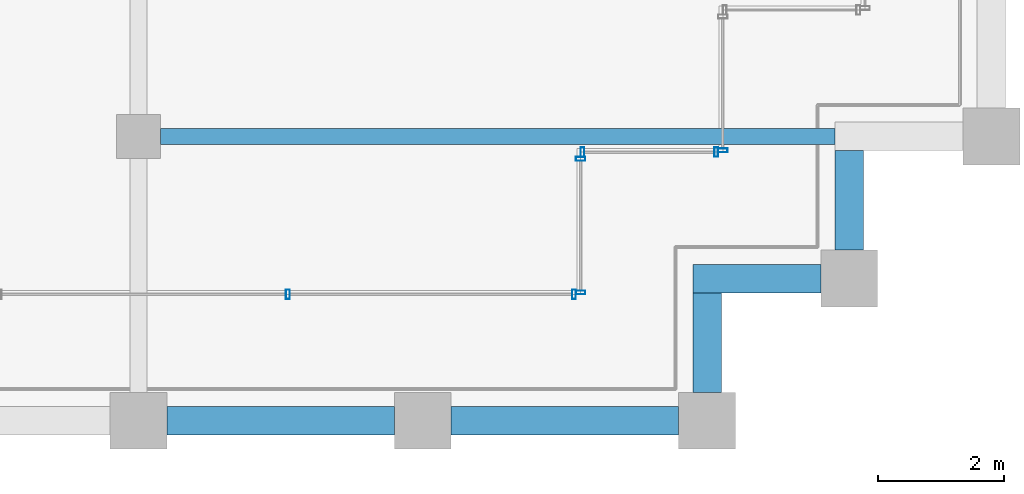
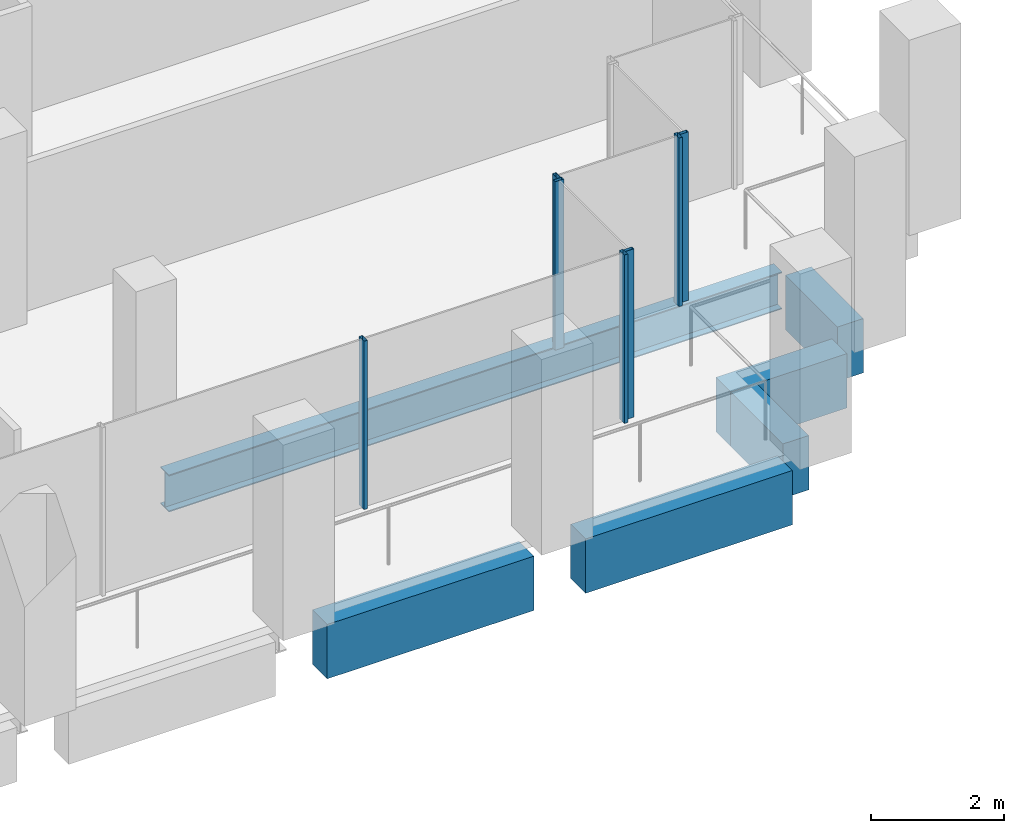
# One storey, part 12 of 40: 7 members, 6 beams, 4 elements without a shape of their own.
"""IFC4 building model written with IfcOpenShell, lengths in metres."""

from ifc_helpers import new_model, si_unit, direction, frame, origin, origin_2d, place, context, subcontext, project, spatial, rectangle, hollow_rectangle, i_section, extrude, material, material_profile, profile_set, type_object, element, aggregate, save


model = new_model("IFC4")

# Units and contexts
model_context = context("Model", 3, precision=1e-05, world=origin(), true_north=direction((0.0, 1.0)))
body_context = subcontext(model_context, "Body", "Model", "MODEL_VIEW")
ifc_project = project(units=[si_unit("LENGTHUNIT", "METRE"), si_unit("AREAUNIT", "SQUARE_METRE"), si_unit("VOLUMEUNIT", "CUBIC_METRE"), si_unit("PLANEANGLEUNIT", "RADIAN"), si_unit("MASSUNIT", "GRAM", prefix="KILO")], contexts=[model_context])

# Site, building, storey
site_placement = place(None, origin())
site = spatial("IfcSite", under=ifc_project, at=site_placement, CompositionType="ELEMENT")
building_placement = place(site_placement, origin())
building = spatial("IfcBuilding", under=site, at=building_placement, Name="Altepetl Exchange Towers", CompositionType="ELEMENT")
storey_placement = place(building_placement, frame((0.0, 0.0, 151.0)))
storey = spatial("IfcBuildingStorey", under=building, at=storey_placement, Name="L37", CompositionType="ELEMENT", Elevation=151.0)

# Beam
ifc_material_1 = material(Name="Steel S355", Category="steel")
ifc_material_profile_1 = material_profile(ifc_material_1, i_section(OverallWidth=0.25390625, OverallDepth=0.68408203125, WebThickness=0.012451171875, FlangeThickness=0.018798828125, at=origin_2d()), Name="W27X94")
ifc_profile_set_1 = profile_set([ifc_material_profile_1], Name="Steel S355")
beam_type_1 = type_object("IfcBeamType", Name="Floor beam W27X94", PredefinedType="BEAM", material=ifc_profile_set_1)
beam_1_placement = place(storey_placement, frame((58.85009765625, 31.5, -0.491943359375), z_axis=(1.0, 0.0, 0.0), x_axis=(0.0, 1.0, 0.0)))
element("IfcBeam", 1, at=beam_1_placement, inside=storey, type_object=beam_type_1, Name="bm:A:L37:006", PredefinedType="BEAM", context=body_context, shape_type="SweptSolid", body=[
    extrude(i_section(OverallWidth=0.25390625, OverallDepth=0.68408203125, WebThickness=0.012451171875, FlangeThickness=0.018798828125, at=origin_2d()), origin(), (0.0, 0.0, 1.0), 10.6748046875),
])

# Curtain wall, members
ifc_material_2 = material(Name="Aluminium 6063-T6 glazing", Category="aluminium")
curtain_wall_type = type_object("IfcCurtainWallType", Name="Loggia glazing system", PredefinedType="NOTDEFINED", material=ifc_material_2)
curtain_wall_1_placement = place(storey_placement, origin())
curtain_wall_1 = element("IfcCurtainWall", 2, at=curtain_wall_1_placement, inside=storey, type_object=curtain_wall_type, Name="CW1 run", PredefinedType="NOTDEFINED")
ifc_material_3 = material(Name="Aluminium 6063-T6", Category="aluminium")
ifc_material_profile_2 = material_profile(ifc_material_3, hollow_rectangle(XDim=0.06005859375, YDim=0.14990234375, WallThickness=0.0029296875, at=origin_2d()), Name="Mullion 60x150 aluminium")
ifc_profile_set_2 = profile_set([ifc_material_profile_2], Name="Aluminium 6063-T6")
member_type = type_object("IfcMemberType", Name="Mullion 60x150 aluminium", PredefinedType="MULLION", material=ifc_profile_set_2)
member_1_placement = place(storey_placement, frame((60.8642578125, 29.0, 0.0)))
member_1 = element("IfcMember", 3, at=member_1_placement, type_object=member_type, Name="MU1 mullion", PredefinedType="MULLION", context=body_context, shape_type="SweptSolid", body=[
    extrude(hollow_rectangle(XDim=0.06005859375, YDim=0.14990234375, WallThickness=0.0029296875, at=origin_2d()), origin(), (0.0, 0.0, 1.0), 3.10009765625),
])
member_2_placement = place(storey_placement, frame((65.39501953125, 29.0, 0.0)))
member_2 = element("IfcMember", 4, at=member_2_placement, type_object=member_type, Name="MU1 mullion", PredefinedType="MULLION", context=body_context, shape_type="SweptSolid", body=[
    extrude(hollow_rectangle(XDim=0.06005859375, YDim=0.14990234375, WallThickness=0.0029296875, at=origin_2d()), origin(), (0.0, 0.0, 1.0), 3.10009765625),
])
aggregate(curtain_wall_1, [member_1, member_2])

curtain_wall_2_placement = place(storey_placement, origin())
curtain_wall_2 = element("IfcCurtainWall", 5, at=curtain_wall_2_placement, inside=storey, type_object=curtain_wall_type, Name="CW1 run", PredefinedType="NOTDEFINED")
member_3_placement = place(storey_placement, frame((65.5, 29.030029296875, 0.0), z_axis=(0.0, 0.0, 1.0), x_axis=(0.0, 1.0, 0.0)))
member_3 = element("IfcMember", 6, at=member_3_placement, type_object=member_type, Name="MU1 mullion", PredefinedType="MULLION", context=body_context, shape_type="SweptSolid", body=[
    extrude(hollow_rectangle(XDim=0.06005859375, YDim=0.14990234375, WallThickness=0.0029296875, at=origin_2d()), origin(), (0.0, 0.0, 1.0), 3.10009765625),
])
member_4_placement = place(storey_placement, frame((65.5, 31.14501953125, 0.0), z_axis=(0.0, 0.0, 1.0), x_axis=(0.0, 1.0, 0.0)))
member_4 = element("IfcMember", 7, at=member_4_placement, type_object=member_type, Name="MU1 mullion", PredefinedType="MULLION", context=body_context, shape_type="SweptSolid", body=[
    extrude(hollow_rectangle(XDim=0.06005859375, YDim=0.14990234375, WallThickness=0.0029296875, at=origin_2d()), origin(), (0.0, 0.0, 1.0), 3.10009765625),
])
aggregate(curtain_wall_2, [member_3, member_4])

curtain_wall_3_placement = place(storey_placement, origin())
curtain_wall_3 = element("IfcCurtainWall", 8, at=curtain_wall_3_placement, inside=storey, type_object=curtain_wall_type, Name="CW1 run", PredefinedType="NOTDEFINED")
member_5_placement = place(storey_placement, frame((65.530029296875, 31.25, 0.0)))
member_5 = element("IfcMember", 9, at=member_5_placement, type_object=member_type, Name="MU1 mullion", PredefinedType="MULLION", context=body_context, shape_type="SweptSolid", body=[
    extrude(hollow_rectangle(XDim=0.06005859375, YDim=0.14990234375, WallThickness=0.0029296875, at=origin_2d()), origin(), (0.0, 0.0, 1.0), 3.10009765625),
])
member_6_placement = place(storey_placement, frame((67.64501953125, 31.25, 0.0)))
member_6 = element("IfcMember", 10, at=member_6_placement, type_object=member_type, Name="MU1 mullion", PredefinedType="MULLION", context=body_context, shape_type="SweptSolid", body=[
    extrude(hollow_rectangle(XDim=0.06005859375, YDim=0.14990234375, WallThickness=0.0029296875, at=origin_2d()), origin(), (0.0, 0.0, 1.0), 3.10009765625),
])
aggregate(curtain_wall_3, [member_5, member_6])

# Curtain wall, member
curtain_wall_4_placement = place(storey_placement, origin())
curtain_wall_4 = element("IfcCurtainWall", 11, at=curtain_wall_4_placement, inside=storey, type_object=curtain_wall_type, Name="CW1 run", PredefinedType="NOTDEFINED")
member_7_placement = place(storey_placement, frame((67.75, 31.280029296875, 0.0), z_axis=(0.0, 0.0, 1.0), x_axis=(0.0, 1.0, 0.0)))
member_7 = element("IfcMember", 12, at=member_7_placement, type_object=member_type, Name="MU1 mullion", PredefinedType="MULLION", context=body_context, shape_type="SweptSolid", body=[
    extrude(hollow_rectangle(XDim=0.06005859375, YDim=0.14990234375, WallThickness=0.0029296875, at=origin_2d()), origin(), (0.0, 0.0, 1.0), 3.10009765625),
])
aggregate(curtain_wall_4, [member_7])

# Beams
ifc_material_4 = material(Name="Concrete C50/60 precast with cantera amarilla facing", Category="concrete")
ifc_material_profile_3 = material_profile(ifc_material_4, rectangle(XDim=0.449951171875, YDim=1.0, at=origin_2d()), Name="450 x 1000")
ifc_profile_set_3 = profile_set([ifc_material_profile_3], Name="Concrete C50/60 precast with cantera amarilla facing")
beam_type_2 = type_object("IfcBeamType", Name="Spandrel beam 450x1000 cantera amarilla", PredefinedType="SPANDREL", material=ifc_profile_set_3)
for number, where, z_axis, x_axis, name in (
    (13, (58.949951171875, 27.0, -0.64990234375), (1.0, 0.0, 0.0), (0.0, 1.0, 0.0), "sp:A:L37:006"),
    (14, (63.449951171875, 27.0, -0.64990234375), (1.0, 0.0, 0.0), (0.0, 1.0, 0.0), "sp:A:L37:007"),
):
    element("IfcBeam", number, at=place(storey_placement, frame(where, z_axis=z_axis, x_axis=x_axis)), inside=storey, type_object=beam_type_2, Name=name, PredefinedType="SPANDREL", context=body_context, shape_type="SweptSolid", body=[
        extrude(rectangle(XDim=0.449951171875, YDim=1.0, at=origin_2d()), origin(), (0.0, 0.0, 1.0), 3.60009765625),
    ])
beam_2_placement = place(storey_placement, frame((67.5, 27.449951171875, -0.64990234375), z_axis=(0.0, 1.0, 0.0), x_axis=(-1.0, 0.0, 0.0)))
element("IfcBeam", 15, at=beam_2_placement, inside=storey, type_object=beam_type_2, Name="sp:A:L37:008", PredefinedType="SPANDREL", context=body_context, shape_type="SweptSolid", body=[
    extrude(rectangle(XDim=0.449951171875, YDim=1.0, at=origin_2d()), origin(), (0.0, 0.0, 1.0), 1.574951171875),
])
beam_3_placement = place(storey_placement, frame((67.27490234375, 29.25, -0.64990234375), z_axis=(1.0, 0.0, 0.0), x_axis=(0.0, 1.0, 0.0)))
element("IfcBeam", 16, at=beam_3_placement, inside=storey, type_object=beam_type_2, Name="sp:A:L37:009", PredefinedType="SPANDREL", context=body_context, shape_type="SweptSolid", body=[
    extrude(rectangle(XDim=0.449951171875, YDim=1.0, at=origin_2d()), origin(), (0.0, 0.0, 1.0), 2.025146484375),
])
beam_4_placement = place(storey_placement, frame((69.75, 29.699951171875, -0.64990234375), z_axis=(0.0, 1.0, 0.0), x_axis=(-1.0, 0.0, 0.0)))
element("IfcBeam", 17, at=beam_4_placement, inside=storey, type_object=beam_type_2, Name="sp:A:L37:010", PredefinedType="SPANDREL", context=body_context, shape_type="SweptSolid", body=[
    extrude(rectangle(XDim=0.449951171875, YDim=1.0, at=origin_2d()), origin(), (0.0, 0.0, 1.0), 1.574951171875),
])

save(model, "model.ifc")
